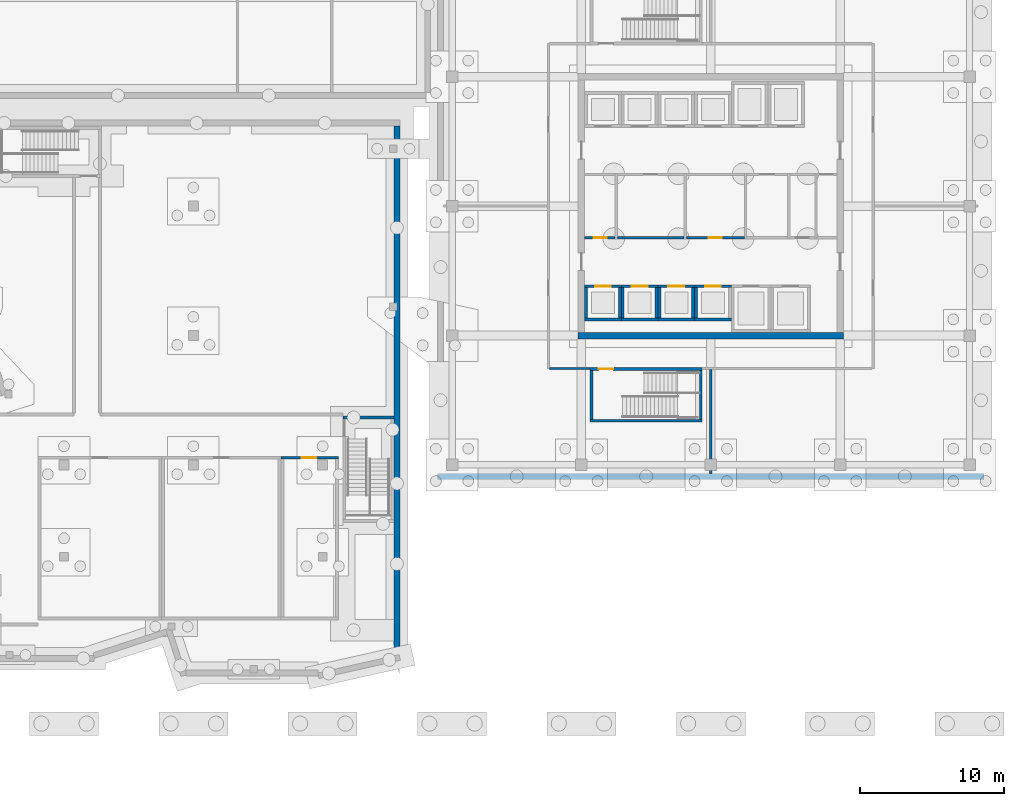
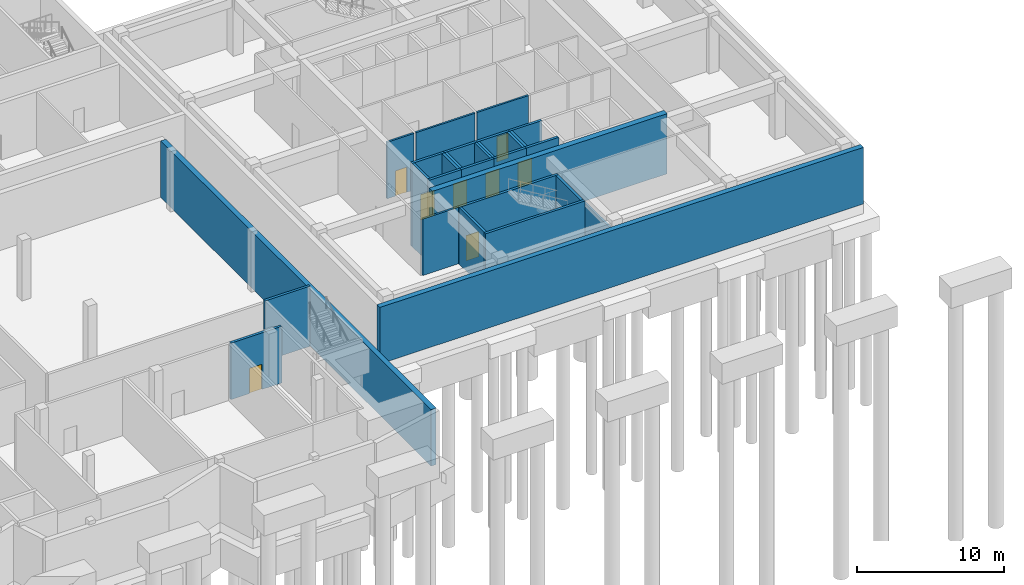
# One storey, part 9 of 17: 29 walls, 8 doors, 8 openings.
"""IFC4 building model written with IfcOpenShell, lengths in metres."""

from ifc_helpers import new_model, si_unit, direction, frame, frame_2d, origin, place, context, subcontext, project, spatial, rectangle, extrude, material, layer, layer_set, type_object, element, fill, save


model = new_model("IFC4")

# Units and contexts
model_context = context("Model", 3, precision=1e-05, world=origin(), true_north=direction((0.0, 1.0)))
body_context = subcontext(model_context, "Body", "Model", "MODEL_VIEW")
ifc_project = project(units=[si_unit("LENGTHUNIT", "METRE"), si_unit("AREAUNIT", "SQUARE_METRE"), si_unit("VOLUMEUNIT", "CUBIC_METRE"), si_unit("PLANEANGLEUNIT", "RADIAN"), si_unit("MASSUNIT", "GRAM", prefix="KILO")], contexts=[model_context])

# Site, building, storey
site_placement = place(None, origin())
site = spatial("IfcSite", under=ifc_project, at=site_placement, CompositionType="ELEMENT")
building_placement = place(site_placement, origin())
building = spatial("IfcBuilding", under=site, at=building_placement, Name="Tuart Plaza Theatre", CompositionType="ELEMENT")
storey_placement = place(building_placement, frame((0.0, 0.0, -10.0)))
storey = spatial("IfcBuildingStorey", under=building, at=storey_placement, Name="B2", CompositionType="ELEMENT", Elevation=-10.0)

# Wall, opening, door
ifc_material_1 = material(Name="Masonry block", Category="masonry")
ifc_layer_1 = layer(ifc_material_1, 0.14990234375)
ifc_layer_set_1 = layer_set([ifc_layer_1], Name="PARTITION BLK150 MASONRYB FRL -/120/120")
wall_type_1 = type_object("IfcWallType", Name="PARTITION BLK150 MASONRYB FRL -/120/120", PredefinedType="PARTITIONING", material=ifc_layer_set_1)
wall_1_placement = place(storey_placement, frame((123.22509765625, 71.800048828125, 0.0), z_axis=(0.0, 0.0, 1.0), x_axis=(1.0, 0.0, 0.0)))
wall_1 = element("IfcWall", 1, at=wall_1_placement, inside=storey, type_object=wall_type_1, Name="P509", PredefinedType="PARTITIONING", context=body_context, shape_type="SweptSolid", body=[
    extrude(rectangle(XDim=2.125, YDim=0.14990234375, at=frame_2d((1.0625, 0.0))), origin(), (0.0, 0.0, 1.0), 4.699951171875),
])
opening_1_placement = place(wall_1_placement, frame((0.64990234375, 0.0, 0.0)))
opening_1 = element("IfcOpeningElement", 2, at=opening_1_placement, cuts=wall_1, Name="Opening B2-044", PredefinedType="OPENING", context=body_context, shape_type="SweptSolid", body=[
    extrude(rectangle(XDim=0.89990234375, YDim=2.10009765625, at=frame_2d((0.449951171875, 1.050048828125))), frame((0.0, 0.0849609375, 0.0), z_axis=(0.0, -1.0, 0.0), x_axis=(1.0, 0.0, 0.0)), (0.0, 0.0, 1.0), 0.169921875),
])
ifc_material_2 = material(Name="Steel Grade 300", Category="steel")
door_type_1 = type_object("IfcDoorType", Name="DOOR 900x2100 steel single swing FRL -/120/30", OperationType="SINGLE_SWING_LEFT", PredefinedType="DOOR", material=ifc_material_2)
door_1_placement = place(opening_1_placement, origin())
door_1 = element("IfcDoor", 3, at=door_1_placement, inside=storey, type_object=door_type_1, Name="B2-044", OperationType="SINGLE_SWING_LEFT", OverallHeight=2.10009765625, OverallWidth=0.89990234375, PredefinedType="DOOR", context=body_context, shape_type="SweptSolid", body=[
    extrude(rectangle(XDim=0.89990234375, YDim=2.10009765625, at=frame_2d((0.449951171875, 1.050048828125))), frame((0.0, 0.02490234375, 0.0), z_axis=(0.0, -1.0, 0.0), x_axis=(1.0, 0.0, 0.0)), (0.0, 0.0, 1.0), 0.050048828125),
])
fill(opening_1, door_1)

# Wall
wall_2_placement = place(storey_placement, frame((125.5, 71.800048828125, 0.0), z_axis=(0.0, 0.0, 1.0), x_axis=(1.0, 0.0, 0.0)))
element("IfcWall", 4, at=wall_2_placement, inside=storey, type_object=wall_type_1, Name="P512", PredefinedType="PARTITIONING", context=body_context, shape_type="SweptSolid", body=[
    extrude(rectangle(XDim=4.64990234375, YDim=0.14990234375, at=frame_2d((2.324951171875, 0.0))), origin(), (0.0, 0.0, 1.0), 4.699951171875),
])

# Wall, opening, door
wall_3_placement = place(storey_placement, frame((130.300048828125, 71.800048828125, 0.0), z_axis=(0.0, 0.0, 1.0), x_axis=(1.0, 0.0, 0.0)))
wall_3 = element("IfcWall", 5, at=wall_3_placement, inside=storey, type_object=wall_type_1, Name="P515", PredefinedType="PARTITIONING", context=body_context, shape_type="SweptSolid", body=[
    extrude(rectangle(XDim=4.050048828125, YDim=0.14990234375, at=frame_2d((2.02490234375, 0.0))), origin(), (0.0, 0.0, 1.0), 4.699951171875),
])
opening_2_placement = place(wall_3_placement, frame((1.574951171875, 0.0, 0.0)))
opening_2 = element("IfcOpeningElement", 6, at=opening_2_placement, cuts=wall_3, Name="Opening B2-046", PredefinedType="OPENING", context=body_context, shape_type="SweptSolid", body=[
    extrude(rectangle(XDim=0.89990234375, YDim=2.10009765625, at=frame_2d((0.449951171875, 1.050048828125))), frame((0.0, 0.0849609375, 0.0), z_axis=(0.0, -1.0, 0.0), x_axis=(1.0, 0.0, 0.0)), (0.0, 0.0, 1.0), 0.169921875),
])
door_2_placement = place(opening_2_placement, origin())
door_2 = element("IfcDoor", 7, at=door_2_placement, inside=storey, type_object=door_type_1, Name="B2-046", OperationType="SINGLE_SWING_LEFT", OverallHeight=2.10009765625, OverallWidth=0.89990234375, PredefinedType="DOOR", context=body_context, shape_type="SweptSolid", body=[
    extrude(rectangle(XDim=0.89990234375, YDim=2.10009765625, at=frame_2d((0.449951171875, 1.050048828125))), frame((0.0, 0.02490234375, 0.0), z_axis=(0.0, -1.0, 0.0), x_axis=(1.0, 0.0, 0.0)), (0.0, 0.0, 1.0), 0.050048828125),
])
fill(opening_2, door_2)

# Walls
ifc_material_3 = material(Name="Masonry block", Category="masonry")
ifc_layer_2 = layer(ifc_material_3, 0.14990234375)
ifc_layer_set_2 = layer_set([ifc_layer_2], Name="PARTITION BLK150 MASONRYB FRL 120/-/-")
wall_type_2 = type_object("IfcWallType", Name="PARTITION BLK150 MASONRYB FRL 120/-/-", PredefinedType="PARTITIONING", material=ifc_layer_set_2)
wall_4_placement = place(storey_placement, frame((123.60009765625, 62.699951171875, 0.0), z_axis=(0.0, 0.0, 1.0), x_axis=(-1.0, 0.0, 0.0)))
element("IfcWall", 8, at=wall_4_placement, inside=storey, type_object=wall_type_2, Name="P526", PredefinedType="PARTITIONING", context=body_context, shape_type="SweptSolid", body=[
    extrude(rectangle(XDim=2.8251953125, YDim=0.14990234375, at=frame_2d((1.41259765625, 0.0))), origin(), (0.0, 0.0, 1.0), 4.699951171875),
])
wall_5_placement = place(storey_placement, frame((132.0, 55.39892578125, 0.0), z_axis=(0.0, 0.0, 1.0), x_axis=(0.0, 1.0, 0.0)))
element("IfcWall", 9, at=wall_5_placement, inside=storey, type_object=wall_type_2, Name="P531", PredefinedType="PARTITIONING", context=body_context, shape_type="SweptSolid", body=[
    extrude(rectangle(XDim=7.22705078125, YDim=0.14990234375, at=frame_2d((3.613525390625, 0.0))), origin(), (0.0, 0.0, 1.0), 3.800048828125),
])

# Wall, opening, door
ifc_material_4 = material(Name="Masonry", Category="masonry")
ifc_layer_3 = layer(ifc_material_4, 0.199951171875)
ifc_layer_set_3 = layer_set([ifc_layer_3], Name="PARTITION BLK200 FRL 120/120/120")
wall_type_3 = type_object("IfcWallType", Name="PARTITION BLK200 FRL 120/120/120", PredefinedType="PARTITIONING", material=ifc_layer_set_3)
wall_6_placement = place(storey_placement, frame((106.10009765625, 56.5, 0.0), z_axis=(0.0, 0.0, 1.0), x_axis=(-1.0, 0.0, 0.0)))
wall_6 = element("IfcWall", 10, at=wall_6_placement, inside=storey, type_object=wall_type_3, Name="P390", PredefinedType="PARTITIONING", context=body_context, shape_type="SweptSolid", body=[
    extrude(rectangle(XDim=4.0, YDim=0.199951171875, at=frame_2d((2.0, 0.0))), origin(), (0.0, 0.0, 1.0), 4.699951171875),
])
opening_3_placement = place(wall_6_placement, frame((1.550048828125, 0.0, 0.0)))
opening_3 = element("IfcOpeningElement", 11, at=opening_3_placement, cuts=wall_6, Name="Opening B2-025", PredefinedType="OPENING", context=body_context, shape_type="SweptSolid", body=[
    extrude(rectangle(XDim=1.0, YDim=2.10009765625, at=frame_2d((0.5, 1.050048828125))), frame((0.0, 0.10986328125, 0.0), z_axis=(0.0, -1.0, 0.0), x_axis=(1.0, 0.0, 0.0)), (0.0, 0.0, 1.0), 0.219970703125),
])
ifc_material_5 = material(Name="Steel Grade 300", Category="steel")
door_type_2 = type_object("IfcDoorType", Name="DOOR 1000x2100 steel single swing FRL -/120/30", OperationType="SINGLE_SWING_LEFT", PredefinedType="DOOR", material=ifc_material_5)
door_3_placement = place(opening_3_placement, origin())
door_3 = element("IfcDoor", 12, at=door_3_placement, inside=storey, type_object=door_type_2, Name="B2-025", OperationType="SINGLE_SWING_LEFT", OverallHeight=2.10009765625, OverallWidth=1.0, PredefinedType="DOOR", context=body_context, shape_type="SweptSolid", body=[
    extrude(rectangle(XDim=1.0, YDim=2.10009765625, at=frame_2d((0.5, 1.050048828125))), frame((0.0, 0.02490234375, 0.0), z_axis=(0.0, -1.0, 0.0), x_axis=(1.0, 0.0, 0.0)), (0.0, 0.0, 1.0), 0.050048828125),
])
fill(opening_3, door_3)

# Walls
ifc_material_6 = material(Name="Concrete N40 (40 MPa)", Category="concrete")
ifc_layer_4 = layer(ifc_material_6, 0.199951171875)
ifc_layer_set_4 = layer_set([ifc_layer_4], Name="SHEAR WALL RC200 FRL 120/120/120")
wall_type_4 = type_object("IfcWallType", Name="SHEAR WALL RC200 FRL 120/120/120", PredefinedType="SHEAR", material=ifc_layer_set_4)
wall_7_placement = place(storey_placement, frame((109.949951171875, 59.300048828125, 0.0), z_axis=(0.0, 0.0, 1.0), x_axis=(-1.0, 0.0, 0.0)))
element("IfcWall", 13, at=wall_7_placement, inside=storey, type_object=wall_type_4, Name="W260", PredefinedType="SHEAR", context=body_context, shape_type="SweptSolid", body=[
    extrude(rectangle(XDim=3.550048828125, YDim=0.199951171875, at=frame_2d((1.77490234375, 0.0))), origin(), (0.0, 0.0, 1.0), 5.0),
])
wall_8_placement = place(storey_placement, frame((123.22509765625, 66.125, -1.89990234375), z_axis=(0.0, 0.0, 1.0), x_axis=(1.0, 0.0, 0.0)))
element("IfcWall", 14, at=wall_8_placement, inside=storey, type_object=wall_type_4, Name="W542", PredefinedType="SHEAR", context=body_context, shape_type="SweptSolid", body=[
    extrude(rectangle(XDim=2.5498046875, YDim=0.199951171875, at=frame_2d((1.27490234375, 0.0))), origin(), (0.0, 0.0, 1.0), 6.89990234375),
])
wall_9_placement = place(storey_placement, frame((125.675048828125, 66.22509765625, -1.89990234375), z_axis=(0.0, 0.0, 1.0), x_axis=(0.0, 1.0, 0.0)))
element("IfcWall", 15, at=wall_9_placement, inside=storey, type_object=wall_type_4, Name="W543", PredefinedType="SHEAR", context=body_context, shape_type="SweptSolid", body=[
    extrude(rectangle(XDim=2.099853515625, YDim=0.199951171875, at=frame_2d((1.0498046875, 0.0))), origin(), (0.0, 0.0, 1.0), 6.89990234375),
])

# Wall, opening, door
wall_10_placement = place(storey_placement, frame((125.77490234375, 68.425048828125, -1.89990234375), z_axis=(0.0, 0.0, 1.0), x_axis=(-1.0, 0.0, 0.0)))
wall_10 = element("IfcWall", 16, at=wall_10_placement, inside=storey, type_object=wall_type_4, Name="W544", PredefinedType="SHEAR", context=body_context, shape_type="SweptSolid", body=[
    extrude(rectangle(XDim=2.5498046875, YDim=0.199951171875, at=frame_2d((1.27490234375, 0.0))), origin(), (0.0, 0.0, 1.0), 6.89990234375),
])
opening_4_placement = place(wall_10_placement, frame((0.72509765625, 0.0, 1.89990234375)))
opening_4 = element("IfcOpeningElement", 17, at=opening_4_placement, cuts=wall_10, Name="Opening B2-026", PredefinedType="OPENING", context=body_context, shape_type="SweptSolid", body=[
    extrude(rectangle(XDim=1.10009765625, YDim=2.10009765625, at=frame_2d((0.550048828125, 1.050048828125))), frame((0.0, 0.10986328125, 0.0), z_axis=(0.0, -1.0, 0.0), x_axis=(1.0, 0.0, 0.0)), (0.0, 0.0, 1.0), 0.219970703125),
])
ifc_material_7 = material(Name="Steel Grade 300", Category="steel")
door_type_3 = type_object("IfcDoorType", Name="LANDING DOOR 1100x2100 steel sliding FRL -/120/30", OperationType="SLIDING_TO_LEFT", PredefinedType="DOOR", material=ifc_material_7)
door_4_placement = place(opening_4_placement, origin())
door_4 = element("IfcDoor", 18, at=door_4_placement, inside=storey, type_object=door_type_3, Name="B2-026", OperationType="SLIDING_TO_LEFT", OverallHeight=2.10009765625, OverallWidth=1.10009765625, PredefinedType="DOOR", context=body_context, shape_type="SweptSolid", body=[
    extrude(rectangle(XDim=1.10009765625, YDim=2.10009765625, at=frame_2d((0.550048828125, 1.050048828125))), frame((0.0, 0.02490234375, 0.0), z_axis=(0.0, -1.0, 0.0), x_axis=(1.0, 0.0, 0.0)), (0.0, 0.0, 1.0), 0.050048828125),
])
fill(opening_4, door_4)

# Walls
wall_11_placement = place(storey_placement, frame((123.324951171875, 68.324951171875, -1.89990234375), z_axis=(0.0, 0.0, 1.0), x_axis=(0.0, -1.0, 0.0)))
element("IfcWall", 19, at=wall_11_placement, inside=storey, type_object=wall_type_4, Name="W545", PredefinedType="SHEAR", context=body_context, shape_type="SweptSolid", body=[
    extrude(rectangle(XDim=2.099853515625, YDim=0.199951171875, at=frame_2d((1.0498046875, 0.0))), origin(), (0.0, 0.0, 1.0), 6.89990234375),
])
wall_12_placement = place(storey_placement, frame((125.77490234375, 66.125, -1.89990234375), z_axis=(0.0, 0.0, 1.0), x_axis=(1.0, 0.0, 0.0)))
element("IfcWall", 20, at=wall_12_placement, inside=storey, type_object=wall_type_4, Name="W586", PredefinedType="SHEAR", context=body_context, shape_type="SweptSolid", body=[
    extrude(rectangle(XDim=2.550048828125, YDim=0.199951171875, at=frame_2d((1.27490234375, 0.0))), origin(), (0.0, 0.0, 1.0), 6.89990234375),
])
wall_13_placement = place(storey_placement, frame((128.22509765625, 66.22509765625, -1.89990234375), z_axis=(0.0, 0.0, 1.0), x_axis=(0.0, 1.0, 0.0)))
element("IfcWall", 21, at=wall_13_placement, inside=storey, type_object=wall_type_4, Name="W587", PredefinedType="SHEAR", context=body_context, shape_type="SweptSolid", body=[
    extrude(rectangle(XDim=2.099853515625, YDim=0.199951171875, at=frame_2d((1.0498046875, 0.0))), origin(), (0.0, 0.0, 1.0), 6.89990234375),
])

# Wall, opening, door
wall_14_placement = place(storey_placement, frame((128.324951171875, 68.425048828125, -1.89990234375), z_axis=(0.0, 0.0, 1.0), x_axis=(-1.0, 0.0, 0.0)))
wall_14 = element("IfcWall", 22, at=wall_14_placement, inside=storey, type_object=wall_type_4, Name="W588", PredefinedType="SHEAR", context=body_context, shape_type="SweptSolid", body=[
    extrude(rectangle(XDim=2.550048828125, YDim=0.199951171875, at=frame_2d((1.27490234375, 0.0))), origin(), (0.0, 0.0, 1.0), 6.89990234375),
])
opening_5_placement = place(wall_14_placement, frame((0.72509765625, 0.0, 1.89990234375)))
opening_5 = element("IfcOpeningElement", 23, at=opening_5_placement, cuts=wall_14, Name="Opening B2-027", PredefinedType="OPENING", context=body_context, shape_type="SweptSolid", body=[
    extrude(rectangle(XDim=1.10009765625, YDim=2.10009765625, at=frame_2d((0.550048828125, 1.050048828125))), frame((0.0, 0.10986328125, 0.0), z_axis=(0.0, -1.0, 0.0), x_axis=(1.0, 0.0, 0.0)), (0.0, 0.0, 1.0), 0.219970703125),
])
door_5_placement = place(opening_5_placement, origin())
door_5 = element("IfcDoor", 24, at=door_5_placement, inside=storey, type_object=door_type_3, Name="B2-027", OperationType="SLIDING_TO_LEFT", OverallHeight=2.10009765625, OverallWidth=1.10009765625, PredefinedType="DOOR", context=body_context, shape_type="SweptSolid", body=[
    extrude(rectangle(XDim=1.10009765625, YDim=2.10009765625, at=frame_2d((0.550048828125, 1.050048828125))), frame((0.0, 0.02490234375, 0.0), z_axis=(0.0, -1.0, 0.0), x_axis=(1.0, 0.0, 0.0)), (0.0, 0.0, 1.0), 0.050048828125),
])
fill(opening_5, door_5)

# Walls
wall_15_placement = place(storey_placement, frame((125.875, 68.324951171875, -1.89990234375), z_axis=(0.0, 0.0, 1.0), x_axis=(0.0, -1.0, 0.0)))
element("IfcWall", 25, at=wall_15_placement, inside=storey, type_object=wall_type_4, Name="W589", PredefinedType="SHEAR", context=body_context, shape_type="SweptSolid", body=[
    extrude(rectangle(XDim=2.099853515625, YDim=0.199951171875, at=frame_2d((1.0498046875, 0.0))), origin(), (0.0, 0.0, 1.0), 6.89990234375),
])
wall_16_placement = place(storey_placement, frame((128.324951171875, 66.125, -1.89990234375), z_axis=(0.0, 0.0, 1.0), x_axis=(1.0, 0.0, 0.0)))
element("IfcWall", 26, at=wall_16_placement, inside=storey, type_object=wall_type_4, Name="W630", PredefinedType="SHEAR", context=body_context, shape_type="SweptSolid", body=[
    extrude(rectangle(XDim=2.550048828125, YDim=0.199951171875, at=frame_2d((1.27490234375, 0.0))), origin(), (0.0, 0.0, 1.0), 6.89990234375),
])
wall_17_placement = place(storey_placement, frame((130.77490234375, 66.22509765625, -1.89990234375), z_axis=(0.0, 0.0, 1.0), x_axis=(0.0, 1.0, 0.0)))
element("IfcWall", 27, at=wall_17_placement, inside=storey, type_object=wall_type_4, Name="W631", PredefinedType="SHEAR", context=body_context, shape_type="SweptSolid", body=[
    extrude(rectangle(XDim=2.099853515625, YDim=0.199951171875, at=frame_2d((1.0498046875, 0.0))), origin(), (0.0, 0.0, 1.0), 6.89990234375),
])

# Wall, opening, door
wall_18_placement = place(storey_placement, frame((130.875, 68.425048828125, -1.89990234375), z_axis=(0.0, 0.0, 1.0), x_axis=(-1.0, 0.0, 0.0)))
wall_18 = element("IfcWall", 28, at=wall_18_placement, inside=storey, type_object=wall_type_4, Name="W632", PredefinedType="SHEAR", context=body_context, shape_type="SweptSolid", body=[
    extrude(rectangle(XDim=2.550048828125, YDim=0.199951171875, at=frame_2d((1.27490234375, 0.0))), origin(), (0.0, 0.0, 1.0), 6.89990234375),
])
opening_6_placement = place(wall_18_placement, frame((0.72509765625, 0.0, 1.89990234375)))
opening_6 = element("IfcOpeningElement", 29, at=opening_6_placement, cuts=wall_18, Name="Opening B2-028", PredefinedType="OPENING", context=body_context, shape_type="SweptSolid", body=[
    extrude(rectangle(XDim=1.10009765625, YDim=2.10009765625, at=frame_2d((0.550048828125, 1.050048828125))), frame((0.0, 0.10986328125, 0.0), z_axis=(0.0, -1.0, 0.0), x_axis=(1.0, 0.0, 0.0)), (0.0, 0.0, 1.0), 0.219970703125),
])
door_6_placement = place(opening_6_placement, origin())
door_6 = element("IfcDoor", 30, at=door_6_placement, inside=storey, type_object=door_type_3, Name="B2-028", OperationType="SLIDING_TO_LEFT", OverallHeight=2.10009765625, OverallWidth=1.10009765625, PredefinedType="DOOR", context=body_context, shape_type="SweptSolid", body=[
    extrude(rectangle(XDim=1.10009765625, YDim=2.10009765625, at=frame_2d((0.550048828125, 1.050048828125))), frame((0.0, 0.02490234375, 0.0), z_axis=(0.0, -1.0, 0.0), x_axis=(1.0, 0.0, 0.0)), (0.0, 0.0, 1.0), 0.050048828125),
])
fill(opening_6, door_6)

# Walls
wall_19_placement = place(storey_placement, frame((128.425048828125, 68.324951171875, -1.89990234375), z_axis=(0.0, 0.0, 1.0), x_axis=(0.0, -1.0, 0.0)))
element("IfcWall", 31, at=wall_19_placement, inside=storey, type_object=wall_type_4, Name="W633", PredefinedType="SHEAR", context=body_context, shape_type="SweptSolid", body=[
    extrude(rectangle(XDim=2.099853515625, YDim=0.199951171875, at=frame_2d((1.0498046875, 0.0))), origin(), (0.0, 0.0, 1.0), 6.89990234375),
])
wall_20_placement = place(storey_placement, frame((130.875, 66.125, -1.89990234375), z_axis=(0.0, 0.0, 1.0), x_axis=(1.0, 0.0, 0.0)))
element("IfcWall", 32, at=wall_20_placement, inside=storey, type_object=wall_type_4, Name="W674", PredefinedType="SHEAR", context=body_context, shape_type="SweptSolid", body=[
    extrude(rectangle(XDim=2.550048828125, YDim=0.199951171875, at=frame_2d((1.27490234375, 0.0))), origin(), (0.0, 0.0, 1.0), 6.89990234375),
])

# Wall, opening, door
wall_21_placement = place(storey_placement, frame((133.425048828125, 68.425048828125, -1.89990234375), z_axis=(0.0, 0.0, 1.0), x_axis=(-1.0, 0.0, 0.0)))
wall_21 = element("IfcWall", 33, at=wall_21_placement, inside=storey, type_object=wall_type_4, Name="W676", PredefinedType="SHEAR", context=body_context, shape_type="SweptSolid", body=[
    extrude(rectangle(XDim=2.550048828125, YDim=0.199951171875, at=frame_2d((1.27490234375, 0.0))), origin(), (0.0, 0.0, 1.0), 6.89990234375),
])
opening_7_placement = place(wall_21_placement, frame((0.72509765625, 0.0, 1.89990234375)))
opening_7 = element("IfcOpeningElement", 34, at=opening_7_placement, cuts=wall_21, Name="Opening B2-029", PredefinedType="OPENING", context=body_context, shape_type="SweptSolid", body=[
    extrude(rectangle(XDim=1.10009765625, YDim=2.10009765625, at=frame_2d((0.550048828125, 1.050048828125))), frame((0.0, 0.10986328125, 0.0), z_axis=(0.0, -1.0, 0.0), x_axis=(1.0, 0.0, 0.0)), (0.0, 0.0, 1.0), 0.219970703125),
])
door_7_placement = place(opening_7_placement, origin())
door_7 = element("IfcDoor", 35, at=door_7_placement, inside=storey, type_object=door_type_3, Name="B2-029", OperationType="SLIDING_TO_LEFT", OverallHeight=2.10009765625, OverallWidth=1.10009765625, PredefinedType="DOOR", context=body_context, shape_type="SweptSolid", body=[
    extrude(rectangle(XDim=1.10009765625, YDim=2.10009765625, at=frame_2d((0.550048828125, 1.050048828125))), frame((0.0, 0.02490234375, 0.0), z_axis=(0.0, -1.0, 0.0), x_axis=(1.0, 0.0, 0.0)), (0.0, 0.0, 1.0), 0.050048828125),
])
fill(opening_7, door_7)

# Walls
wall_22_placement = place(storey_placement, frame((130.97509765625, 68.324951171875, -1.89990234375), z_axis=(0.0, 0.0, 1.0), x_axis=(0.0, -1.0, 0.0)))
element("IfcWall", 36, at=wall_22_placement, inside=storey, type_object=wall_type_4, Name="W677", PredefinedType="SHEAR", context=body_context, shape_type="SweptSolid", body=[
    extrude(rectangle(XDim=2.099853515625, YDim=0.199951171875, at=frame_2d((1.0498046875, 0.0))), origin(), (0.0, 0.0, 1.0), 6.89990234375),
])
wall_23_placement = place(storey_placement, frame((123.60009765625, 59.074951171875, 0.0), z_axis=(0.0, 0.0, 1.0), x_axis=(1.0, 0.0, 0.0)))
element("IfcWall", 37, at=wall_23_placement, inside=storey, type_object=wall_type_4, Name="P476", PredefinedType="SHEAR", context=body_context, shape_type="SweptSolid", body=[
    extrude(rectangle(XDim=7.7998046875, YDim=0.199951171875, at=frame_2d((3.89990234375, 0.0))), origin(), (0.0, 0.0, 1.0), 4.699951171875),
])
wall_24_placement = place(storey_placement, frame((131.300048828125, 59.175048828125, 0.0), z_axis=(0.0, 0.0, 1.0), x_axis=(0.0, 1.0, 0.0)))
element("IfcWall", 38, at=wall_24_placement, inside=storey, type_object=wall_type_4, Name="P477", PredefinedType="SHEAR", context=body_context, shape_type="SweptSolid", body=[
    extrude(rectangle(XDim=3.39990234375, YDim=0.199951171875, at=frame_2d((1.699951171875, 0.0))), origin(), (0.0, 0.0, 1.0), 4.699951171875),
])

# Wall, opening, door
wall_25_placement = place(storey_placement, frame((131.39990234375, 62.675048828125, 0.0), z_axis=(0.0, 0.0, 1.0), x_axis=(-1.0, 0.0, 0.0)))
wall_25 = element("IfcWall", 39, at=wall_25_placement, inside=storey, type_object=wall_type_4, Name="P478", PredefinedType="SHEAR", context=body_context, shape_type="SweptSolid", body=[
    extrude(rectangle(XDim=7.7998046875, YDim=0.199951171875, at=frame_2d((3.89990234375, 0.0))), origin(), (0.0, 0.0, 1.0), 4.699951171875),
])
opening_8_placement = place(wall_25_placement, frame((6.199951171875, 0.0, 0.0)))
opening_8 = element("IfcOpeningElement", 40, at=opening_8_placement, cuts=wall_25, Name="Opening B2-038", PredefinedType="OPENING", context=body_context, shape_type="SweptSolid", body=[
    extrude(rectangle(XDim=1.0, YDim=2.10009765625, at=frame_2d((0.5, 1.050048828125))), frame((0.0, 0.10986328125, 0.0), z_axis=(0.0, -1.0, 0.0), x_axis=(1.0, 0.0, 0.0)), (0.0, 0.0, 1.0), 0.219970703125),
])
door_8_placement = place(opening_8_placement, origin())
door_8 = element("IfcDoor", 41, at=door_8_placement, inside=storey, type_object=door_type_2, Name="B2-038", OperationType="SINGLE_SWING_LEFT", OverallHeight=2.10009765625, OverallWidth=1.0, PredefinedType="DOOR", context=body_context, shape_type="SweptSolid", body=[
    extrude(rectangle(XDim=1.0, YDim=2.10009765625, at=frame_2d((0.5, 1.050048828125))), frame((0.0, 0.02490234375, 0.0), z_axis=(0.0, -1.0, 0.0), x_axis=(1.0, 0.0, 0.0)), (0.0, 0.0, 1.0), 0.050048828125),
])
fill(opening_8, door_8)

# Walls
wall_26_placement = place(storey_placement, frame((123.699951171875, 62.574951171875, 0.0), z_axis=(0.0, 0.0, 1.0), x_axis=(0.0, -1.0, 0.0)))
element("IfcWall", 42, at=wall_26_placement, inside=storey, type_object=wall_type_4, Name="P479", PredefinedType="SHEAR", context=body_context, shape_type="SweptSolid", body=[
    extrude(rectangle(XDim=3.39990234375, YDim=0.199951171875, at=frame_2d((1.699951171875, 0.0))), origin(), (0.0, 0.0, 1.0), 4.699951171875),
])
ifc_material_8 = material(Name="Concrete N40 (40 MPa)", Category="concrete")
ifc_layer_5 = layer(ifc_material_8, 0.39990234375)
ifc_layer_set_5 = layer_set([ifc_layer_5], Name="SHEAR WALL RC400 FRL 120/120/120 EXT")
wall_type_5 = type_object("IfcWallType", Name="SHEAR WALL RC400 FRL 120/120/120 EXT", PredefinedType="SHEAR", material=ifc_layer_set_5)
wall_27_placement = place(storey_placement, frame((110.1630859375, 79.5869140625, 0.0), z_axis=(0.0, 0.0, 1.0), x_axis=(0.0, -1.0, 0.0)))
element("IfcWall", 43, at=wall_27_placement, inside=storey, type_object=wall_type_5, Name="W312", PredefinedType="SHEAR", context=body_context, shape_type="SweptSolid", body=[
    extrude(rectangle(XDim=36.826171875, YDim=0.39990234375, at=frame_2d((18.4130859375, 0.0))), origin(), (0.0, 0.0, 1.0), 4.699951171875),
])
ifc_material_9 = material(Name="Concrete N50 (50 MPa)", Category="concrete")
ifc_layer_6 = layer(ifc_material_9, 0.449951171875)
ifc_layer_set_6 = layer_set([ifc_layer_6], Name="SHEAR WALL RC450 N50 FRL 120/120/120")
wall_type_6 = type_object("IfcWallType", Name="SHEAR WALL RC450 N50 FRL 120/120/120", PredefinedType="SHEAR", material=ifc_layer_set_6)
wall_28_placement = place(storey_placement, frame((122.77490234375, 65.0, 0.0), z_axis=(0.0, 0.0, 1.0), x_axis=(1.0, 0.0, 0.0)))
element("IfcWall", 44, at=wall_28_placement, inside=storey, type_object=wall_type_6, Name="W339", PredefinedType="SHEAR", context=body_context, shape_type="SweptSolid", body=[
    extrude(rectangle(XDim=18.4501953125, YDim=0.449951171875, at=frame_2d((9.22509765625, 0.0))), origin(), (0.0, 0.0, 1.0), 5.0),
])
ifc_material_10 = material(Name="Concrete N40 (40 MPa)", Category="concrete")
ifc_layer_7 = layer(ifc_material_10, 0.39990234375)
ifc_layer_set_7 = layer_set([ifc_layer_7], Name="WALL RC400 LB FRL 120/120/120")
wall_type_7 = type_object("IfcWallType", Name="WALL RC400 LB FRL 120/120/120", PredefinedType="SOLIDWALL", material=ifc_layer_set_7)
wall_29_placement = place(storey_placement, frame((113.0, 55.199951171875, 0.0), z_axis=(0.0, 0.0, 1.0), x_axis=(1.0, 0.0, 0.0)))
element("IfcWall", 45, at=wall_29_placement, inside=storey, type_object=wall_type_7, Name="W451", PredefinedType="SOLIDWALL", context=body_context, shape_type="SweptSolid", body=[
    extrude(rectangle(XDim=38.0, YDim=0.39990234375, at=frame_2d((19.0, 0.0))), origin(), (0.0, 0.0, 1.0), 4.699951171875),
])

save(model, "model.ifc")
